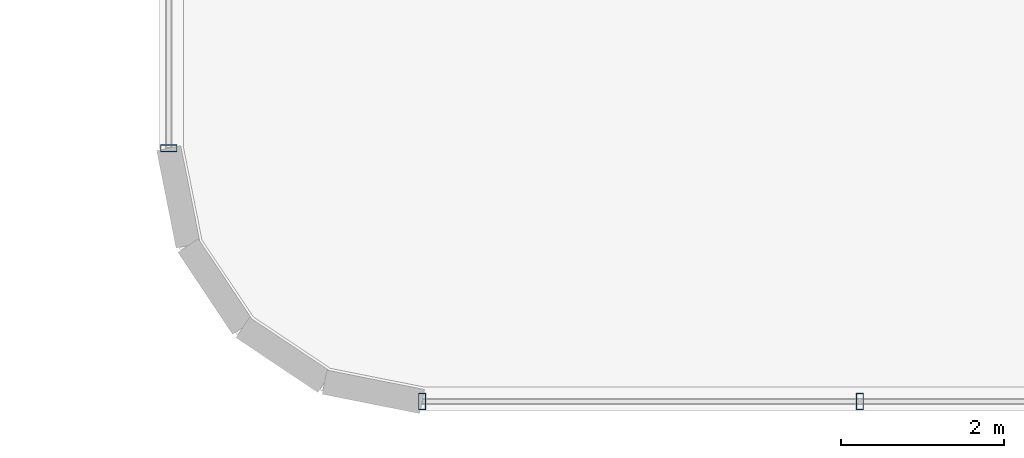
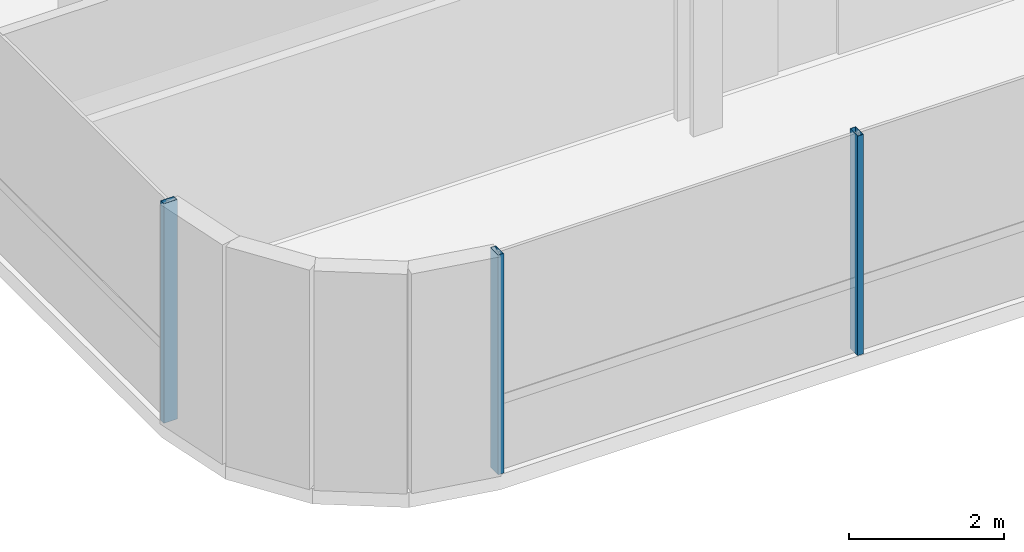
# One storey, part 2 of 39: 3 members, 2 elements without a shape of their own.
"""IFC4 building model written with IfcOpenShell, lengths in metres."""

import ifcopenshell
import ifcopenshell.guid

model = None  # the IFC model being written
_history = None  # IfcOwnerHistory: only IFC2X3 demands one
_inside = {}  # id of a spatial element -> (the spatial element, [elements in it])
_under = {}  # id of a project, library or spatial element -> (it, [spatial elements below it])
_declared = {}  # id of a project -> (the project, [libraries it declares])
_typed = {}  # id of a type object -> (the type object, [elements of that type])
_made_of = {}  # id of a material, layer set ... -> (it, [elements and type objects made of it])


def new_model(schema):
    """Start an empty IFC model of exactly this schema.

    Asked for "IFC4X3", IfcOpenShell would pick the latest addendum, in which some entities
    have other attributes; the version numbers below select the first issue.
    IFC2X3 requires an IfcOwnerHistory on every rooted entity: one is made here for all.
    """
    global model, _history
    if schema == "IFC4X3":
        model = ifcopenshell.file(schema_version=(4, 3, 0, 0))
    else:
        model = ifcopenshell.file(schema=schema)
    _inside.clear()
    _under.clear()
    _declared.clear()
    _typed.clear()
    _made_of.clear()
    _history = None
    if model.schema == "IFC2X3":
        org = make("IfcOrganization", Name="unknown")
        user = make(
            "IfcPersonAndOrganization",
            ThePerson=make("IfcPerson", FamilyName="unknown"),
            TheOrganization=org,
        )
        app = make(
            "IfcApplication",
            ApplicationDeveloper=org,
            Version="unknown",
            ApplicationFullName="unknown",
            ApplicationIdentifier="unknown",
        )
        _history = make(
            "IfcOwnerHistory",
            OwningUser=user,
            OwningApplication=app,
            ChangeAction="ADDED",
            CreationDate=0,
        )
    return model


def make(cls, **values):
    """One entity of the class cls with the attributes given. An attribute that is None is left unset."""
    return model.create_entity(
        cls, **{name: value for name, value in values.items() if value is not None}
    )


def rooted(cls, **values):
    """An entity with a GlobalId (a new one), such as an element, a storey or a relation."""
    return make(cls, GlobalId=ifcopenshell.guid.new(), OwnerHistory=_history, **values)


def si_unit(unit_type, name, prefix=None):
    """IfcSIUnit, for example si_unit("LENGTHUNIT", "METRE", prefix="MILLI")."""
    return make("IfcSIUnit", UnitType=unit_type, Prefix=prefix, Name=name)


def assignment(units):
    """IfcUnitAssignment: the units of a project."""
    return None if units is None else make("IfcUnitAssignment", Units=units)


def point(xyz):
    """IfcCartesianPoint."""
    return None if xyz is None else make("IfcCartesianPoint", Coordinates=xyz)


def direction(xyz):
    """IfcDirection."""
    return None if xyz is None else make("IfcDirection", DirectionRatios=xyz)


def frame(location, z_axis=None, x_axis=None):
    """IfcAxis2Placement3D, a coordinate frame: its origin and axes. An axis left out is left unset."""
    return make(
        "IfcAxis2Placement3D",
        Location=point(location),
        Axis=direction(z_axis),
        RefDirection=direction(x_axis),
    )


def frame_2d(location, x_axis=None):
    """IfcAxis2Placement2D, a coordinate frame in the plane: its origin and x axis."""
    return make(
        "IfcAxis2Placement2D", Location=point(location), RefDirection=direction(x_axis)
    )


def origin():
    """The frame at (0, 0, 0) with its axes left unset."""
    return frame((0.0, 0.0, 0.0))


def origin_2d():
    """The frame at (0, 0) in the plane with its x axis left unset."""
    return frame_2d((0.0, 0.0))


def place(relative_to, where):
    """IfcLocalPlacement: puts the frame where relative to a parent placement (None: the world)."""
    return make(
        "IfcLocalPlacement", PlacementRelTo=relative_to, RelativePlacement=where
    )


def context(
    kind, dimensions, precision=None, world=None, true_north=None, identifier=None
):
    """IfcGeometricRepresentationContext, for example the 3D "Model" context."""
    return make(
        "IfcGeometricRepresentationContext",
        ContextIdentifier=identifier,
        ContextType=kind,
        CoordinateSpaceDimension=dimensions,
        Precision=precision,
        WorldCoordinateSystem=world,
        TrueNorth=true_north,
    )


def subcontext(parent, identifier, kind, view, scale=None):
    """IfcGeometricRepresentationSubContext, for example "Body" below "Model"."""
    return make(
        "IfcGeometricRepresentationSubContext",
        ContextIdentifier=identifier,
        ContextType=kind,
        ParentContext=parent,
        TargetScale=scale,
        TargetView=view,
    )


def project(units=None, contexts=None):
    """IfcProject with its units and contexts."""
    return rooted(
        "IfcProject",
        Name="project",
        RepresentationContexts=contexts,
        UnitsInContext=assignment(units),
    )


def spatial(cls, under=None, at=None, **own):
    """A site, building, storey or space (cls), placed at a placement, below another one or the project."""
    s = rooted(cls, ObjectPlacement=at, **own)
    if under is not None:
        _under.setdefault(under.id(), (under, []))[1].append(s)
    return s


def profile(cls, at=None, kind="AREA", **sizes):
    """A parametric profile (cls). Its sizes go by their IFC names, for example OverallWidth=200.0."""
    return make(cls, ProfileType=kind, Position=at, **sizes)


def hollow_rectangle(**sizes):
    """IfcRectangleHollowProfileDef."""
    return profile("IfcRectangleHollowProfileDef", **sizes)


def extrude(swept, where, along, depth):
    """IfcExtrudedAreaSolid: the profile swept, set in the frame where, extruded along a direction by depth."""
    return make(
        "IfcExtrudedAreaSolid",
        SweptArea=swept,
        Position=where,
        ExtrudedDirection=direction(along),
        Depth=depth,
    )


def shape(context_of_items, identifier, shape_type, items):
    """IfcShapeRepresentation: the items that make up one representation, for example the "Body"."""
    return make(
        "IfcShapeRepresentation",
        ContextOfItems=context_of_items,
        RepresentationIdentifier=identifier,
        RepresentationType=shape_type,
        Items=items,
    )


def source(mapping_origin, context_of_items, identifier, shape_type, items):
    """IfcRepresentationMap: a shape defined once, which mapped items show again and again."""
    return make(
        "IfcRepresentationMap",
        MappingOrigin=mapping_origin,
        MappedRepresentation=shape(context_of_items, identifier, shape_type, items),
    )


def transform(
    local_origin,
    x_axis=None,
    y_axis=None,
    z_axis=None,
    scale=None,
    scale2=None,
    scale3=None,
    uniform=True,
):
    """IfcCartesianTransformationOperator3D, or its non-uniform kind. x_axis, y_axis, z_axis: its Axis1, 2, 3."""
    if uniform:
        return make(
            "IfcCartesianTransformationOperator3D",
            Axis1=direction(x_axis),
            Axis2=direction(y_axis),
            LocalOrigin=point(local_origin),
            Scale=scale,
            Axis3=direction(z_axis),
        )
    return make(
        "IfcCartesianTransformationOperator3DnonUniform",
        Axis1=direction(x_axis),
        Axis2=direction(y_axis),
        LocalOrigin=point(local_origin),
        Scale=scale,
        Axis3=direction(z_axis),
        Scale2=scale2,
        Scale3=scale3,
    )


def mapped(mapping_source, mapping_target):
    """IfcMappedItem: shows the shape of a source again, moved by a transform."""
    return make(
        "IfcMappedItem", MappingSource=mapping_source, MappingTarget=mapping_target
    )


def material(Name=None, Category=None):
    """IfcMaterial."""
    return make("IfcMaterial", Name=Name, Category=Category)


def material_profile(
    of_material, cross_section, Name=None, Category=None, Priority=None
):
    """IfcMaterialProfile: a cross section and its material."""
    return make(
        "IfcMaterialProfile",
        Name=Name,
        Material=of_material,
        Profile=cross_section,
        Priority=Priority,
        Category=Category,
    )


def profile_set(profiles, Name=None, composite=None):
    """IfcMaterialProfileSet."""
    return make(
        "IfcMaterialProfileSet",
        Name=Name,
        MaterialProfiles=profiles,
        CompositeProfile=composite,
    )


def made_of(thing, what):
    """Note that an element or type object is made of a material, layer set ...; save() writes the relation."""
    if what is not None:
        _made_of.setdefault(what.id(), (what, []))[1].append(thing)
    return thing


def type_object(cls, material=None, **own):
    """A type object (cls), such as IfcWallType, which elements share."""
    return made_of(rooted(cls, **own), material)


def element(
    cls,
    number,
    at=None,
    inside=None,
    cuts=None,
    type_object=None,
    material=None,
    context=None,
    identifier="Body",
    shape_type=None,
    held_by="IfcProductDefinitionShape",
    body=None,
    shapes=None,
    **own,
):
    """One element of the class cls, such as IfcWall. Its Tag is "e" and its number.

    at: its placement. inside: the storey or other place that contains it. cuts: it is an
    opening in that element (IfcRelVoidsElement). A single representation is given by context,
    identifier, shape_type and body (its items); several are given by shapes. held_by: the class
    of the entity that holds the representations. save() writes the other relations.
    """
    e = rooted(cls, Tag="e%d" % number, ObjectPlacement=at, **own)
    if body is not None:
        shapes = [shape(context, identifier, shape_type, body)]
    if shapes is not None:
        e.Representation = make(held_by, Representations=shapes)
    if inside is not None:
        _inside.setdefault(inside.id(), (inside, []))[1].append(e)
    if cuts is not None:
        rooted(
            "IfcRelVoidsElement", RelatingBuildingElement=cuts, RelatedOpeningElement=e
        )
    if type_object is not None:
        _typed.setdefault(type_object.id(), (type_object, []))[1].append(e)
    return made_of(e, material)


def aggregate(whole, parts):
    """IfcRelAggregates: a whole, such as a stair, and the parts it consists of."""
    return rooted("IfcRelAggregates", RelatingObject=whole, RelatedObjects=parts)


def save(model, path):
    """Write the relations noted so far, then the file.

    IfcRelAggregates (storeys below a building ...), IfcRelContainedInSpatialStructure (elements
    in a storey), IfcRelDefinesByType, IfcRelAssociatesMaterial and IfcRelDeclares: one each for
    every whole, place, type object, material and project.
    """
    for whole, parts in _under.values():
        aggregate(whole, parts)
    for where, things in _inside.values():
        rooted(
            "IfcRelContainedInSpatialStructure",
            RelatedElements=things,
            RelatingStructure=where,
        )
    for kind, things in _typed.values():
        rooted("IfcRelDefinesByType", RelatedObjects=things, RelatingType=kind)
    for what, things in _made_of.values():
        rooted("IfcRelAssociatesMaterial", RelatedObjects=things, RelatingMaterial=what)
    for by, libraries in _declared.values():
        rooted("IfcRelDeclares", RelatingContext=by, RelatedDefinitions=libraries)
    model.write(path)


model = new_model("IFC4")

# Units and contexts
model_context = context("Model", 3, precision=1e-05, world=origin(), true_north=direction((0.0, 1.0)))
body_context = subcontext(model_context, "Body", "Model", "MODEL_VIEW")
ifc_project = project(units=[si_unit("LENGTHUNIT", "METRE"), si_unit("AREAUNIT", "SQUARE_METRE"), si_unit("VOLUMEUNIT", "CUBIC_METRE"), si_unit("PLANEANGLEUNIT", "RADIAN"), si_unit("MASSUNIT", "GRAM", prefix="KILO")], contexts=[model_context])

# Site, building, storey
site_placement = place(None, origin())
site = spatial("IfcSite", under=ifc_project, at=site_placement, CompositionType="ELEMENT")
building_placement = place(site_placement, origin())
building = spatial("IfcBuilding", under=site, at=building_placement, Name="Valdorenza Pilgrim Sanctuary Tower", CompositionType="ELEMENT")
storey_placement = place(building_placement, frame((0.0, 0.0, 74.10009765625)))
storey = spatial("IfcBuildingStorey", under=building, at=storey_placement, Name="L18", CompositionType="ELEMENT", Elevation=74.10009765625)

# Curtain wall, member
ifc_material_1 = material(Name="Curtain-wall IGU glazing", Category="glass")
curtain_wall_type = type_object("IfcCurtainWallType", Name="CW-SYS-02", PredefinedType="NOTDEFINED", material=ifc_material_1)
curtain_wall_1_placement = place(storey_placement, origin())
curtain_wall_1 = element("IfcCurtainWall", 1, at=curtain_wall_1_placement, inside=storey, type_object=curtain_wall_type, Name="L18 Curtain Wall CW-L18-1-1S1", PredefinedType="NOTDEFINED")
ifc_material_2 = material(Name="Anodised aluminium AW-6060", Category="aluminium")
ifc_material_profile = material_profile(ifc_material_2, hollow_rectangle(XDim=0.0849609375, YDim=0.199951171875, WallThickness=0.0048828125, at=origin_2d()), Name="ALU-M 200x85x5")
ifc_profile_set = profile_set([ifc_material_profile], Name="Anodised aluminium AW-6060")
member_type = type_object("IfcMemberType", Name="CW-MUL-02", PredefinedType="MULLION", material=ifc_profile_set)
shared_shape = source(origin(), body_context, "Body", "SweptSolid", [
    extrude(hollow_rectangle(XDim=0.0849609375, YDim=0.199951171875, WallThickness=0.0048828125, at=origin_2d()), origin(), (0.0, 0.0, 1.0), 3.4599609375),
])
member_1_placement = place(storey_placement, frame((-31.889892578125, -15.789306640625, 0.0), z_axis=(0.0, 0.0, 1.0), x_axis=(0.0, 1.0, 0.0)))
member_1 = element("IfcMember", 2, at=member_1_placement, type_object=member_type, Name="CW-L18-1-1S1 Mullion 1", PredefinedType="MULLION", context=body_context, shape_type="MappedRepresentation", body=[
    mapped(shared_shape, transform((0.0, 0.0, 0.0), x_axis=(1.0, 0.0, 0.0), y_axis=(0.0, 1.0, 0.0), z_axis=(0.0, 0.0, 1.0), scale=1.0)),
])
aggregate(curtain_wall_1, [member_1])

# Curtain wall, members
curtain_wall_2_placement = place(storey_placement, origin())
curtain_wall_2 = element("IfcCurtainWall", 3, at=curtain_wall_2_placement, inside=storey, type_object=curtain_wall_type, Name="L18 Curtain Wall CW-L18-1-46", PredefinedType="NOTDEFINED")
member_2_placement = place(storey_placement, frame((-23.4296875, -18.889892578125, 0.0), z_axis=(0.0, 0.0, 1.0), x_axis=(-1.0, 0.0, 0.0)))
member_2 = element("IfcMember", 4, at=member_2_placement, type_object=member_type, Name="CW-L18-1-46 Mullion 3", PredefinedType="MULLION", context=body_context, shape_type="MappedRepresentation", body=[
    mapped(shared_shape, transform((0.0, 0.0, 0.0), x_axis=(1.0, 0.0, 0.0), y_axis=(0.0, 1.0, 0.0), z_axis=(0.0, 0.0, 1.0), scale=1.0)),
])
member_3_placement = place(storey_placement, frame((-28.789306640625, -18.889892578125, 0.0), z_axis=(0.0, 0.0, 1.0), x_axis=(-1.0, 0.0, 0.0)))
member_3 = element("IfcMember", 5, at=member_3_placement, type_object=member_type, Name="CW-L18-1-46 Mullion 4", PredefinedType="MULLION", context=body_context, shape_type="MappedRepresentation", body=[
    mapped(shared_shape, transform((0.0, 0.0, 0.0), x_axis=(1.0, 0.0, 0.0), y_axis=(0.0, 1.0, 0.0), z_axis=(0.0, 0.0, 1.0), scale=1.0)),
])
aggregate(curtain_wall_2, [member_2, member_3])

save(model, "model.ifc")
